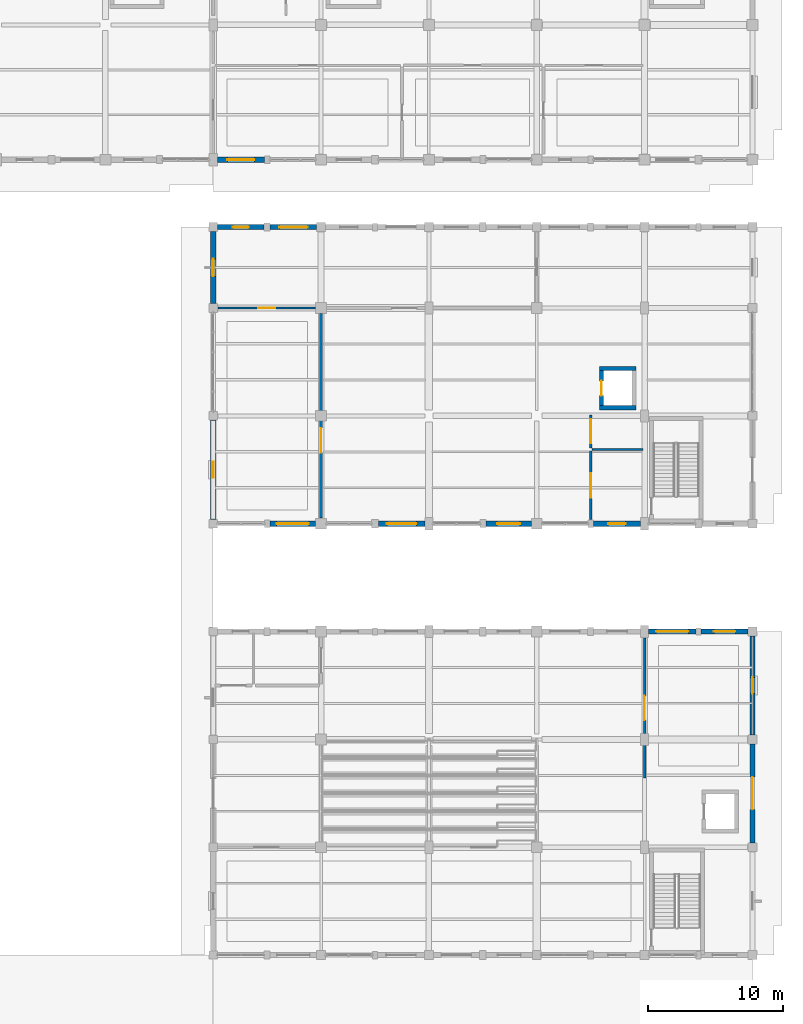
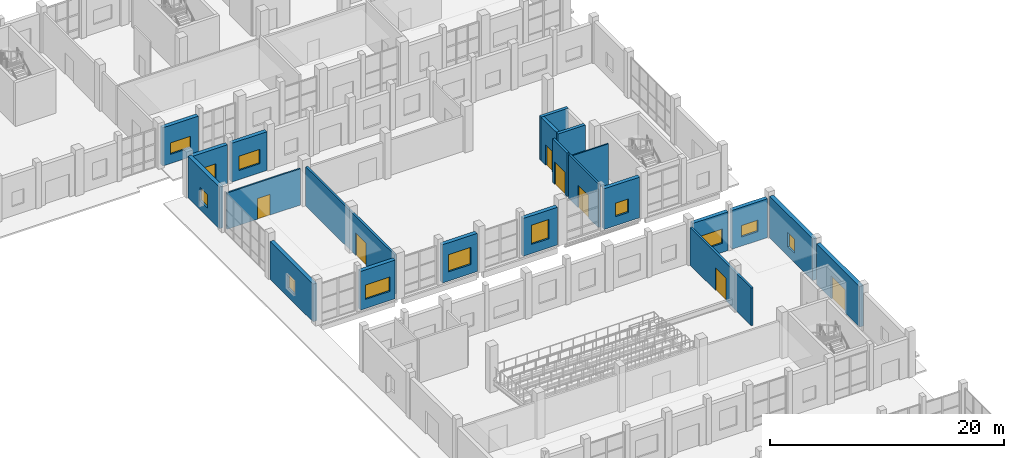
# One storey, part 130 of 156: 22 walls, 12 windows, 7 doors, 19 openings.
"""IFC4 building model written with IfcOpenShell, lengths in metres."""

from ifc_helpers import new_model, si_unit, direction, frame, frame_2d, origin, place, context, subcontext, project, spatial, rectangle, extrude, material, layer, layer_set, type_object, element, fill, save


model = new_model("IFC4")

# Units and contexts
model_context = context("Model", 3, precision=1e-05, world=origin(), true_north=direction((0.0, 1.0)))
body_context = subcontext(model_context, "Body", "Model", "MODEL_VIEW")
ifc_project = project(units=[si_unit("LENGTHUNIT", "METRE"), si_unit("AREAUNIT", "SQUARE_METRE"), si_unit("VOLUMEUNIT", "CUBIC_METRE"), si_unit("PLANEANGLEUNIT", "RADIAN"), si_unit("MASSUNIT", "GRAM", prefix="KILO")], contexts=[model_context])

# Site, building, storey
site_placement = place(None, origin())
site = spatial("IfcSite", under=ifc_project, at=site_placement, CompositionType="ELEMENT")
building_placement = place(site_placement, origin())
building = spatial("IfcBuilding", under=site, at=building_placement, Name="Luwemba Playhouse", CompositionType="ELEMENT")
storey_placement = place(building_placement, origin())
storey = spatial("IfcBuildingStorey", under=building, at=storey_placement, Name="L00", CompositionType="ELEMENT", Elevation=0.0)

# Wall, opening, window
ifc_material_1 = material(Name="Clay facing brick obra vista masonry", Category="masonry")
ifc_layer_1 = layer(ifc_material_1, 0.3798828125)
ifc_layer_set_1 = layer_set([ifc_layer_1], Name="Clay facing brick obra vista masonry")
wall_type_1 = type_object("IfcWallType", Name="WAL-BRK-380", PredefinedType="SOLIDWALL", material=ifc_layer_set_1)
wall_1_placement = place(storey_placement, frame((164.300048828125, 60.0, 0.0), z_axis=(0.0, 0.0, 1.0), x_axis=(1.0, 0.0, 0.0)))
wall_1 = element("IfcWall", 1, at=wall_1_placement, inside=storey, type_object=wall_type_1, Name="L00 V3 exterior facade wall 0039", PredefinedType="SOLIDWALL", context=body_context, shape_type="SweptSolid", body=[
    extrude(rectangle(XDim=3.5, YDim=0.3798828125, at=frame_2d((1.75, 0.0))), origin(), (0.0, 0.0, 1.0), 4.034912109375),
])
opening_1_placement = place(wall_1_placement, frame((0.550048828125, 0.0, 0.949951171875)))
opening_1 = element("IfcOpeningElement", 2, at=opening_1_placement, cuts=wall_1, Name="Opening WN-12", PredefinedType="OPENING", context=body_context, shape_type="SweptSolid", body=[
    extrude(rectangle(XDim=2.39990234375, YDim=1.5, at=frame_2d((1.199951171875, 0.75))), frame((0.0, 0.199951171875, 0.0), z_axis=(0.0, -1.0, 0.0), x_axis=(1.0, 0.0, 0.0)), (0.0, 0.0, 1.0), 0.39990234375),
])
ifc_material_2 = material(Name="Solar-control double glazing in aluminium frame", Category="aluminium")
window_type_1 = type_object("IfcWindowType", Name="WIN-WN-12", PartitioningType="TRIPLE_PANEL_VERTICAL", PredefinedType="WINDOW", material=ifc_material_2)
window_1_placement = place(opening_1_placement, origin())
window_1 = element("IfcWindow", 3, at=window_1_placement, inside=storey, type_object=window_type_1, Name="L00 V3 scheduled window 0023", OverallHeight=1.5, OverallWidth=2.39990234375, PartitioningType="TRIPLE_PANEL_VERTICAL", PredefinedType="WINDOW", context=body_context, shape_type="SweptSolid", body=[
    extrude(rectangle(XDim=2.39990234375, YDim=1.5, at=frame_2d((1.199951171875, 0.75))), frame((0.0, 0.030029296875, 0.0), z_axis=(0.0, -1.0, 0.0), x_axis=(1.0, 0.0, 0.0)), (0.0, 0.0, 1.0), 0.06005859375),
])
fill(opening_1, window_1)

wall_2_placement = place(storey_placement, frame((168.199951171875, 60.0, 0.0), z_axis=(0.0, 0.0, 1.0), x_axis=(1.0, 0.0, 0.0)))
wall_2 = element("IfcWall", 4, at=wall_2_placement, inside=storey, type_object=wall_type_1, Name="L00 V3 exterior facade wall 0040", PredefinedType="SOLIDWALL", context=body_context, shape_type="SweptSolid", body=[
    extrude(rectangle(XDim=3.47509765625, YDim=0.3798828125, at=frame_2d((1.737548828125, 0.0))), origin(), (0.0, 0.0, 1.0), 4.034912109375),
])
opening_2_placement = place(wall_2_placement, frame((0.9375, 0.0, 0.949951171875)))
opening_2 = element("IfcOpeningElement", 5, at=opening_2_placement, cuts=wall_2, Name="Opening WN-15", PredefinedType="OPENING", context=body_context, shape_type="SweptSolid", body=[
    extrude(rectangle(XDim=1.60009765625, YDim=1.199951171875, at=frame_2d((0.800048828125, 0.60009765625))), frame((0.0, 0.199951171875, 0.0), z_axis=(0.0, -1.0, 0.0), x_axis=(1.0, 0.0, 0.0)), (0.0, 0.0, 1.0), 0.39990234375),
])
window_type_2 = type_object("IfcWindowType", Name="WIN-WN-15", PartitioningType="DOUBLE_PANEL_HORIZONTAL", PredefinedType="WINDOW", material=ifc_material_2)
window_2_placement = place(opening_2_placement, origin())
window_2 = element("IfcWindow", 6, at=window_2_placement, inside=storey, type_object=window_type_2, Name="L00 V3 scheduled window 0024", OverallHeight=1.199951171875, OverallWidth=1.60009765625, PartitioningType="DOUBLE_PANEL_HORIZONTAL", PredefinedType="WINDOW", context=body_context, shape_type="SweptSolid", body=[
    extrude(rectangle(XDim=1.60009765625, YDim=1.199951171875, at=frame_2d((0.800048828125, 0.60009765625))), frame((0.0, 0.030029296875, 0.0), z_axis=(0.0, -1.0, 0.0), x_axis=(1.0, 0.0, 0.0)), (0.0, 0.0, 1.0), 0.06005859375),
])
fill(opening_2, window_2)

wall_3_placement = place(storey_placement, frame((172.0, 59.675048828125, 0.0), z_axis=(0.0, 0.0, 1.0), x_axis=(0.0, -1.0, 0.0)))
wall_3 = element("IfcWall", 7, at=wall_3_placement, inside=storey, type_object=wall_type_1, Name="L00 V3 exterior facade wall 0041", PredefinedType="SOLIDWALL", context=body_context, shape_type="SweptSolid", body=[
    extrude(rectangle(XDim=7.35009765625, YDim=0.3798828125, at=frame_2d((3.675048828125, 0.0))), origin(), (0.0, 0.0, 1.0), 4.3349609375),
])
opening_3_placement = place(wall_3_placement, frame((3.074951171875, 0.0, 0.949951171875)))
opening_3 = element("IfcOpeningElement", 8, at=opening_3_placement, cuts=wall_3, Name="Opening WN-08", PredefinedType="OPENING", context=body_context, shape_type="SweptSolid", body=[
    extrude(rectangle(XDim=1.199951171875, YDim=1.5, at=frame_2d((0.60009765625, 0.75))), frame((0.0, 0.199951171875, 0.0), z_axis=(0.0, -1.0, 0.0), x_axis=(1.0, 0.0, 0.0)), (0.0, 0.0, 1.0), 0.39990234375),
])
window_type_3 = type_object("IfcWindowType", Name="WIN-WN-08", PartitioningType="SINGLE_PANEL", PredefinedType="WINDOW", material=ifc_material_2)
window_3_placement = place(opening_3_placement, origin())
window_3 = element("IfcWindow", 9, at=window_3_placement, inside=storey, type_object=window_type_3, Name="L00 V3 scheduled window 0025", OverallHeight=1.5, OverallWidth=1.199951171875, PartitioningType="SINGLE_PANEL", PredefinedType="WINDOW", context=body_context, shape_type="SweptSolid", body=[
    extrude(rectangle(XDim=1.199951171875, YDim=1.5, at=frame_2d((0.60009765625, 0.75))), frame((0.0, 0.030029296875, 0.0), z_axis=(0.0, -1.0, 0.0), x_axis=(1.0, 0.0, 0.0)), (0.0, 0.0, 1.0), 0.06005859375),
])
fill(opening_3, window_3)

# Wall, opening, door
wall_4_placement = place(storey_placement, frame((172.0, 51.675048828125, 0.0), z_axis=(0.0, 0.0, 1.0), x_axis=(0.0, -1.0, 0.0)))
wall_4 = element("IfcWall", 10, at=wall_4_placement, inside=storey, type_object=wall_type_1, Name="L00 V3 exterior facade wall 0042", PredefinedType="SOLIDWALL", context=body_context, shape_type="SweptSolid", body=[
    extrude(rectangle(XDim=7.35009765625, YDim=0.3798828125, at=frame_2d((3.675048828125, 0.0))), origin(), (0.0, 0.0, 1.0), 4.235107421875),
])
opening_4_placement = place(wall_4_placement, frame((2.47509765625, 0.0, 0.0)))
opening_4 = element("IfcOpeningElement", 11, at=opening_4_placement, cuts=wall_4, Name="Opening E29", PredefinedType="OPENING", context=body_context, shape_type="SweptSolid", body=[
    extrude(rectangle(XDim=2.39990234375, YDim=2.39990234375, at=frame_2d((1.199951171875, 1.199951171875))), frame((0.0, 0.199951171875, 0.0), z_axis=(0.0, -1.0, 0.0), x_axis=(1.0, 0.0, 0.0)), (0.0, 0.0, 1.0), 0.39990234375),
])
ifc_material_3 = material(Name="Architectural bronze-anodised aluminium and glazed leaf", Category="aluminium")
door_type_1 = type_object("IfcDoorType", Name="DR-EXIT-240", OperationType="NOTDEFINED", PredefinedType="DOOR", material=ifc_material_3)
door_1_placement = place(opening_4_placement, origin())
door_1 = element("IfcDoor", 12, at=door_1_placement, inside=storey, type_object=door_type_1, Name="Studio Theatre east boulevard final exit E29", OperationType="DOUBLE_DOOR_SINGLE_SWING", OverallHeight=2.39990234375, OverallWidth=2.39990234375, PredefinedType="DOOR", context=body_context, shape_type="SweptSolid", body=[
    extrude(rectangle(XDim=2.39990234375, YDim=2.39990234375, at=frame_2d((1.199951171875, 1.199951171875))), frame((0.0, 0.02490234375, 0.0), z_axis=(0.0, -1.0, 0.0), x_axis=(1.0, 0.0, 0.0)), (0.0, 0.0, 1.0), 0.050048828125),
])
fill(opening_4, door_1)

# Wall, opening, window
wall_5_placement = place(storey_placement, frame((132.0, 68.324951171875, 0.0), z_axis=(0.0, 0.0, 1.0), x_axis=(0.0, 1.0, 0.0)))
wall_5 = element("IfcWall", 13, at=wall_5_placement, inside=storey, type_object=wall_type_1, Name="L00 V4 exterior facade wall 0050", PredefinedType="SOLIDWALL", context=body_context, shape_type="SweptSolid", body=[
    extrude(rectangle(XDim=7.35009765625, YDim=0.3798828125, at=frame_2d((3.675048828125, 0.0))), origin(), (0.0, 0.0, 1.0), 3.93505859375),
])
opening_5_placement = place(wall_5_placement, frame((3.074951171875, 0.0, 0.949951171875)))
opening_5 = element("IfcOpeningElement", 14, at=opening_5_placement, cuts=wall_5, Name="Opening WN-08", PredefinedType="OPENING", context=body_context, shape_type="SweptSolid", body=[
    extrude(rectangle(XDim=1.199951171875, YDim=1.5, at=frame_2d((0.60009765625, 0.75))), frame((0.0, 0.199951171875, 0.0), z_axis=(0.0, -1.0, 0.0), x_axis=(1.0, 0.0, 0.0)), (0.0, 0.0, 1.0), 0.39990234375),
])
window_4_placement = place(opening_5_placement, origin())
window_4 = element("IfcWindow", 15, at=window_4_placement, inside=storey, type_object=window_type_3, Name="L00 V4 scheduled window 0031", OverallHeight=1.5, OverallWidth=1.199951171875, PartitioningType="SINGLE_PANEL", PredefinedType="WINDOW", context=body_context, shape_type="SweptSolid", body=[
    extrude(rectangle(XDim=1.199951171875, YDim=1.5, at=frame_2d((0.60009765625, 0.75))), frame((0.0, 0.030029296875, 0.0), z_axis=(0.0, -1.0, 0.0), x_axis=(1.0, 0.0, 0.0)), (0.0, 0.0, 1.0), 0.06005859375),
])
fill(opening_5, window_4)

wall_6_placement = place(storey_placement, frame((132.0, 84.324951171875, 0.0), z_axis=(0.0, 0.0, 1.0), x_axis=(0.0, 1.0, 0.0)))
wall_6 = element("IfcWall", 16, at=wall_6_placement, inside=storey, type_object=wall_type_1, Name="L00 V4 exterior facade wall 0051", PredefinedType="SOLIDWALL", context=body_context, shape_type="SweptSolid", body=[
    extrude(rectangle(XDim=5.35009765625, YDim=0.3798828125, at=frame_2d((2.675048828125, 0.0))), origin(), (0.0, 0.0, 1.0), 4.3349609375),
])
opening_6_placement = place(wall_6_placement, frame((2.02490234375, 0.0, 0.949951171875)))
opening_6 = element("IfcOpeningElement", 17, at=opening_6_placement, cuts=wall_6, Name="Opening WN-14", PredefinedType="OPENING", context=body_context, shape_type="SweptSolid", body=[
    extrude(rectangle(XDim=1.300048828125, YDim=1.39990234375, at=frame_2d((0.64990234375, 0.699951171875))), frame((0.0, 0.199951171875, 0.0), z_axis=(0.0, -1.0, 0.0), x_axis=(1.0, 0.0, 0.0)), (0.0, 0.0, 1.0), 0.39990234375),
])
window_type_4 = type_object("IfcWindowType", Name="WIN-WN-14", PartitioningType="SINGLE_PANEL", PredefinedType="WINDOW", material=ifc_material_2)
window_5_placement = place(opening_6_placement, origin())
window_5 = element("IfcWindow", 18, at=window_5_placement, inside=storey, type_object=window_type_4, Name="L00 V4 scheduled window 0032", OverallHeight=1.39990234375, OverallWidth=1.300048828125, PartitioningType="SINGLE_PANEL", PredefinedType="WINDOW", context=body_context, shape_type="SweptSolid", body=[
    extrude(rectangle(XDim=1.300048828125, YDim=1.39990234375, at=frame_2d((0.64990234375, 0.699951171875))), frame((0.0, 0.030029296875, 0.0), z_axis=(0.0, -1.0, 0.0), x_axis=(1.0, 0.0, 0.0)), (0.0, 0.0, 1.0), 0.06005859375),
])
fill(opening_6, window_5)

wall_7_placement = place(storey_placement, frame((132.324951171875, 90.0, 0.0), z_axis=(0.0, 0.0, 1.0), x_axis=(1.0, 0.0, 0.0)))
wall_7 = element("IfcWall", 19, at=wall_7_placement, inside=storey, type_object=wall_type_1, Name="L00 V4 exterior facade wall 0052", PredefinedType="SOLIDWALL", context=body_context, shape_type="SweptSolid", body=[
    extrude(rectangle(XDim=3.449951171875, YDim=0.3798828125, at=frame_2d((1.72509765625, 0.0))), origin(), (0.0, 0.0, 1.0), 4.034912109375),
])
opening_7_placement = place(wall_7_placement, frame((1.125, 0.0, 0.949951171875)))
opening_7 = element("IfcOpeningElement", 20, at=opening_7_placement, cuts=wall_7, Name="Opening WN-08", PredefinedType="OPENING", context=body_context, shape_type="SweptSolid", body=[
    extrude(rectangle(XDim=1.199951171875, YDim=1.5, at=frame_2d((0.60009765625, 0.75))), frame((0.0, 0.199951171875, 0.0), z_axis=(0.0, -1.0, 0.0), x_axis=(1.0, 0.0, 0.0)), (0.0, 0.0, 1.0), 0.39990234375),
])
window_6_placement = place(opening_7_placement, origin())
window_6 = element("IfcWindow", 21, at=window_6_placement, inside=storey, type_object=window_type_3, Name="L00 V4 scheduled window 0033", OverallHeight=1.5, OverallWidth=1.199951171875, PartitioningType="SINGLE_PANEL", PredefinedType="WINDOW", context=body_context, shape_type="SweptSolid", body=[
    extrude(rectangle(XDim=1.199951171875, YDim=1.5, at=frame_2d((0.60009765625, 0.75))), frame((0.0, 0.030029296875, 0.0), z_axis=(0.0, -1.0, 0.0), x_axis=(1.0, 0.0, 0.0)), (0.0, 0.0, 1.0), 0.06005859375),
])
fill(opening_7, window_6)

wall_8_placement = place(storey_placement, frame((136.22509765625, 90.0, 0.0), z_axis=(0.0, 0.0, 1.0), x_axis=(1.0, 0.0, 0.0)))
wall_8 = element("IfcWall", 22, at=wall_8_placement, inside=storey, type_object=wall_type_1, Name="L00 V4 exterior facade wall 0053", PredefinedType="SOLIDWALL", context=body_context, shape_type="SweptSolid", body=[
    extrude(rectangle(XDim=3.449951171875, YDim=0.3798828125, at=frame_2d((1.72509765625, 0.0))), origin(), (0.0, 0.0, 1.0), 4.034912109375),
])
opening_8_placement = place(wall_8_placement, frame((0.675048828125, 0.0, 0.949951171875)))
opening_8 = element("IfcOpeningElement", 23, at=opening_8_placement, cuts=wall_8, Name="Opening WN-11", PredefinedType="OPENING", context=body_context, shape_type="SweptSolid", body=[
    extrude(rectangle(XDim=2.10009765625, YDim=1.5, at=frame_2d((1.050048828125, 0.75))), frame((0.0, 0.199951171875, 0.0), z_axis=(0.0, -1.0, 0.0), x_axis=(1.0, 0.0, 0.0)), (0.0, 0.0, 1.0), 0.39990234375),
])
window_type_5 = type_object("IfcWindowType", Name="WIN-WN-11", PartitioningType="TRIPLE_PANEL_VERTICAL", PredefinedType="WINDOW", material=ifc_material_2)
window_7_placement = place(opening_8_placement, origin())
window_7 = element("IfcWindow", 24, at=window_7_placement, inside=storey, type_object=window_type_5, Name="L00 V4 scheduled window 0034", OverallHeight=1.5, OverallWidth=2.10009765625, PartitioningType="TRIPLE_PANEL_VERTICAL", PredefinedType="WINDOW", context=body_context, shape_type="SweptSolid", body=[
    extrude(rectangle(XDim=2.10009765625, YDim=1.5, at=frame_2d((1.050048828125, 0.75))), frame((0.0, 0.030029296875, 0.0), z_axis=(0.0, -1.0, 0.0), x_axis=(1.0, 0.0, 0.0)), (0.0, 0.0, 1.0), 0.06005859375),
])
fill(opening_8, window_7)

wall_9_placement = place(storey_placement, frame((163.699951171875, 68.0, 0.0), z_axis=(0.0, 0.0, 1.0), x_axis=(-1.0, 0.0, 0.0)))
wall_9 = element("IfcWall", 25, at=wall_9_placement, inside=storey, type_object=wall_type_1, Name="L00 V4 exterior facade wall 0065", PredefinedType="SOLIDWALL", context=body_context, shape_type="SweptSolid", body=[
    extrude(rectangle(XDim=3.5, YDim=0.3798828125, at=frame_2d((1.75, 0.0))), origin(), (0.0, 0.0, 1.0), 4.235107421875),
])
opening_9_placement = place(wall_9_placement, frame((1.10009765625, 0.0, 0.949951171875)))
opening_9 = element("IfcOpeningElement", 26, at=opening_9_placement, cuts=wall_9, Name="Opening WN-14", PredefinedType="OPENING", context=body_context, shape_type="SweptSolid", body=[
    extrude(rectangle(XDim=1.300048828125, YDim=1.39990234375, at=frame_2d((0.64990234375, 0.699951171875))), frame((0.0, 0.199951171875, 0.0), z_axis=(0.0, -1.0, 0.0), x_axis=(1.0, 0.0, 0.0)), (0.0, 0.0, 1.0), 0.39990234375),
])
window_8_placement = place(opening_9_placement, origin())
window_8 = element("IfcWindow", 27, at=window_8_placement, inside=storey, type_object=window_type_4, Name="L00 V4 scheduled window 0044", OverallHeight=1.39990234375, OverallWidth=1.300048828125, PartitioningType="SINGLE_PANEL", PredefinedType="WINDOW", context=body_context, shape_type="SweptSolid", body=[
    extrude(rectangle(XDim=1.300048828125, YDim=1.39990234375, at=frame_2d((0.64990234375, 0.699951171875))), frame((0.0, 0.030029296875, 0.0), z_axis=(0.0, -1.0, 0.0), x_axis=(1.0, 0.0, 0.0)), (0.0, 0.0, 1.0), 0.06005859375),
])
fill(opening_9, window_8)

wall_10_placement = place(storey_placement, frame((155.60009765625, 68.0, 0.0), z_axis=(0.0, 0.0, 1.0), x_axis=(-1.0, 0.0, 0.0)))
wall_10 = element("IfcWall", 28, at=wall_10_placement, inside=storey, type_object=wall_type_1, Name="L00 V4 exterior facade wall 0066", PredefinedType="SOLIDWALL", context=body_context, shape_type="SweptSolid", body=[
    extrude(rectangle(XDim=3.375, YDim=0.3798828125, at=frame_2d((1.6875, 0.0))), origin(), (0.0, 0.0, 1.0), 3.93505859375),
])
opening_10_placement = place(wall_10_placement, frame((0.83740234375, 0.0, 0.949951171875)))
opening_10 = element("IfcOpeningElement", 29, at=opening_10_placement, cuts=wall_10, Name="Opening WN-20", PredefinedType="OPENING", context=body_context, shape_type="SweptSolid", body=[
    extrude(rectangle(XDim=1.699951171875, YDim=2.0, at=frame_2d((0.85009765625, 1.0))), frame((0.0, 0.199951171875, 0.0), z_axis=(0.0, -1.0, 0.0), x_axis=(1.0, 0.0, 0.0)), (0.0, 0.0, 1.0), 0.39990234375),
])
window_type_6 = type_object("IfcWindowType", Name="WIN-WN-20", PartitioningType="DOUBLE_PANEL_VERTICAL", PredefinedType="WINDOW", material=ifc_material_2)
window_9_placement = place(opening_10_placement, origin())
window_9 = element("IfcWindow", 30, at=window_9_placement, inside=storey, type_object=window_type_6, Name="L00 V4 scheduled window 0045", OverallHeight=2.0, OverallWidth=1.699951171875, PartitioningType="DOUBLE_PANEL_VERTICAL", PredefinedType="WINDOW", context=body_context, shape_type="SweptSolid", body=[
    extrude(rectangle(XDim=1.699951171875, YDim=2.0, at=frame_2d((0.85009765625, 1.0))), frame((0.0, 0.030029296875, 0.0), z_axis=(0.0, -1.0, 0.0), x_axis=(1.0, 0.0, 0.0)), (0.0, 0.0, 1.0), 0.06005859375),
])
fill(opening_10, window_9)

wall_11_placement = place(storey_placement, frame((147.699951171875, 68.0, 0.0), z_axis=(0.0, 0.0, 1.0), x_axis=(-1.0, 0.0, 0.0)))
wall_11 = element("IfcWall", 31, at=wall_11_placement, inside=storey, type_object=wall_type_1, Name="L00 V4 exterior facade wall 0067", PredefinedType="SOLIDWALL", context=body_context, shape_type="SweptSolid", body=[
    extrude(rectangle(XDim=3.449951171875, YDim=0.3798828125, at=frame_2d((1.72509765625, 0.0))), origin(), (0.0, 0.0, 1.0), 3.985107421875),
])
opening_11_placement = place(wall_11_placement, frame((0.625, 0.0, 0.949951171875)))
opening_11 = element("IfcOpeningElement", 32, at=opening_11_placement, cuts=wall_11, Name="Opening WN-06", PredefinedType="OPENING", context=body_context, shape_type="SweptSolid", body=[
    extrude(rectangle(XDim=2.199951171875, YDim=1.800048828125, at=frame_2d((1.10009765625, 0.89990234375))), frame((0.0, 0.199951171875, 0.0), z_axis=(0.0, -1.0, 0.0), x_axis=(1.0, 0.0, 0.0)), (0.0, 0.0, 1.0), 0.39990234375),
])
window_type_7 = type_object("IfcWindowType", Name="WIN-WN-06", PartitioningType="TRIPLE_PANEL_VERTICAL", PredefinedType="WINDOW", material=ifc_material_2)
window_10_placement = place(opening_11_placement, origin())
window_10 = element("IfcWindow", 33, at=window_10_placement, inside=storey, type_object=window_type_7, Name="L00 V4 scheduled window 0046", OverallHeight=1.800048828125, OverallWidth=2.199951171875, PartitioningType="TRIPLE_PANEL_VERTICAL", PredefinedType="WINDOW", context=body_context, shape_type="SweptSolid", body=[
    extrude(rectangle(XDim=2.199951171875, YDim=1.800048828125, at=frame_2d((1.10009765625, 0.89990234375))), frame((0.0, 0.030029296875, 0.0), z_axis=(0.0, -1.0, 0.0), x_axis=(1.0, 0.0, 0.0)), (0.0, 0.0, 1.0), 0.06005859375),
])
fill(opening_11, window_10)

wall_12_placement = place(storey_placement, frame((139.60009765625, 68.0, 0.0), z_axis=(0.0, 0.0, 1.0), x_axis=(-1.0, 0.0, 0.0)))
wall_12 = element("IfcWall", 34, at=wall_12_placement, inside=storey, type_object=wall_type_1, Name="L00 V4 exterior facade wall 0068", PredefinedType="SOLIDWALL", context=body_context, shape_type="SweptSolid", body=[
    extrude(rectangle(XDim=3.400146484375, YDim=0.3798828125, at=frame_2d((1.7001953125, 0.0))), origin(), (0.0, 0.0, 1.0), 4.034912109375),
])
opening_12_placement = place(wall_12_placement, frame((0.5, 0.0, 0.949951171875)))
opening_12 = element("IfcOpeningElement", 35, at=opening_12_placement, cuts=wall_12, Name="Opening WN-12", PredefinedType="OPENING", context=body_context, shape_type="SweptSolid", body=[
    extrude(rectangle(XDim=2.39990234375, YDim=1.5, at=frame_2d((1.199951171875, 0.75))), frame((0.0, 0.199951171875, 0.0), z_axis=(0.0, -1.0, 0.0), x_axis=(1.0, 0.0, 0.0)), (0.0, 0.0, 1.0), 0.39990234375),
])
window_11_placement = place(opening_12_placement, origin())
window_11 = element("IfcWindow", 36, at=window_11_placement, inside=storey, type_object=window_type_1, Name="L00 V4 scheduled window 0047", OverallHeight=1.5, OverallWidth=2.39990234375, PartitioningType="TRIPLE_PANEL_VERTICAL", PredefinedType="WINDOW", context=body_context, shape_type="SweptSolid", body=[
    extrude(rectangle(XDim=2.39990234375, YDim=1.5, at=frame_2d((1.199951171875, 0.75))), frame((0.0, 0.030029296875, 0.0), z_axis=(0.0, -1.0, 0.0), x_axis=(1.0, 0.0, 0.0)), (0.0, 0.0, 1.0), 0.06005859375),
])
fill(opening_12, window_11)

wall_13_placement = place(storey_placement, frame((135.800048828125, 95.0, 0.0), z_axis=(0.0, 0.0, 1.0), x_axis=(-1.0, 0.0, 0.0)))
wall_13 = element("IfcWall", 37, at=wall_13_placement, inside=storey, type_object=wall_type_1, Name="L00 V6E exterior facade wall 0129", PredefinedType="SOLIDWALL", context=body_context, shape_type="SweptSolid", body=[
    extrude(rectangle(XDim=3.5, YDim=0.3798828125, at=frame_2d((1.75, 0.0))), origin(), (0.0, 0.0, 1.0), 3.985107421875),
])
opening_13_placement = place(wall_13_placement, frame((0.75, 0.0, 0.949951171875)))
opening_13 = element("IfcOpeningElement", 38, at=opening_13_placement, cuts=wall_13, Name="Opening WN-16", PredefinedType="OPENING", context=body_context, shape_type="SweptSolid", body=[
    extrude(rectangle(XDim=2.0, YDim=1.199951171875, at=frame_2d((1.0, 0.60009765625))), frame((0.0, 0.199951171875, 0.0), z_axis=(0.0, -1.0, 0.0), x_axis=(1.0, 0.0, 0.0)), (0.0, 0.0, 1.0), 0.39990234375),
])
window_type_8 = type_object("IfcWindowType", Name="WIN-WN-16", PartitioningType="DOUBLE_PANEL_HORIZONTAL", PredefinedType="WINDOW", material=ifc_material_2)
window_12_placement = place(opening_13_placement, origin())
window_12 = element("IfcWindow", 39, at=window_12_placement, inside=storey, type_object=window_type_8, Name="L00 V6E scheduled window 0085", OverallHeight=1.199951171875, OverallWidth=2.0, PartitioningType="DOUBLE_PANEL_HORIZONTAL", PredefinedType="WINDOW", context=body_context, shape_type="SweptSolid", body=[
    extrude(rectangle(XDim=2.0, YDim=1.199951171875, at=frame_2d((1.0, 0.60009765625))), frame((0.0, 0.030029296875, 0.0), z_axis=(0.0, -1.0, 0.0), x_axis=(1.0, 0.0, 0.0)), (0.0, 0.0, 1.0), 0.06005859375),
])
fill(opening_13, window_12)

# Walls
ifc_material_4 = material(Name="Concrete C40/50", Category="concrete")
ifc_layer_2 = layer(ifc_material_4, 0.300048828125)
ifc_layer_set_2 = layer_set([ifc_layer_2], Name="Concrete C40/50")
wall_type_2 = type_object("IfcWallType", Name="WAL-CORE-300", PredefinedType="SHEAR", material=ifc_layer_set_2)
for number, where, z_axis, x_axis, name in (
    (40, (160.64990234375, 76.60009765625, 0.0), (0.0, 0.0, 1.0), (1.0, 0.0, 0.0), "L00 Lift LF-P7 shaft wall S"),
    (41, (163.35009765625, 79.5, 0.0), (0.0, 0.0, 1.0), (-1.0, 0.0, 0.0), "L00 Lift LF-P7 shaft wall N"),
):
    element("IfcWall", number, at=place(storey_placement, frame(where, z_axis=z_axis, x_axis=x_axis)), inside=storey, type_object=wall_type_2, Name=name, PredefinedType="SHEAR", context=body_context, shape_type="SweptSolid", body=[
        extrude(rectangle(XDim=2.7001953125, YDim=0.300048828125, at=frame_2d((1.35009765625, 0.0))), origin(), (0.0, 0.0, 1.0), 4.550048828125),
    ])

# Wall, opening, door
wall_14_placement = place(storey_placement, frame((160.800048828125, 76.75, 0.0), z_axis=(0.0, 0.0, 1.0), x_axis=(0.0, 1.0, 0.0)))
wall_14 = element("IfcWall", 42, at=wall_14_placement, inside=storey, type_object=wall_type_2, Name="L00 Lift LF-P7 shaft wall W", PredefinedType="SHEAR", context=body_context, shape_type="SweptSolid", body=[
    extrude(rectangle(XDim=2.60009765625, YDim=0.300048828125, at=frame_2d((1.300048828125, 0.0))), origin(), (0.0, 0.0, 1.0), 4.550048828125),
])
opening_14_placement = place(wall_14_placement, frame((0.75, 0.0, 0.0)))
opening_14 = element("IfcOpeningElement", 43, at=opening_14_placement, cuts=wall_14, Name="Opening LD-01", PredefinedType="OPENING", context=body_context, shape_type="SweptSolid", body=[
    extrude(rectangle(XDim=1.10009765625, YDim=2.14990234375, at=frame_2d((0.550048828125, 1.074951171875))), frame((0.0, 0.159912109375, 0.0), z_axis=(0.0, -1.0, 0.0), x_axis=(1.0, 0.0, 0.0)), (0.0, 0.0, 1.0), 0.320068359375),
])
ifc_material_5 = material(Name="Stainless steel lift landing doors", Category="steel")
door_type_2 = type_object("IfcDoorType", Name="DR-LIFT-110", OperationType="NOTDEFINED", PredefinedType="DOOR", material=ifc_material_5)
door_2_placement = place(opening_14_placement, origin())
door_2 = element("IfcDoor", 44, at=door_2_placement, inside=storey, type_object=door_type_2, Name="L00 Lift LF-P7 landing door", OperationType="DOUBLE_DOOR_SLIDING", OverallHeight=2.14990234375, OverallWidth=1.10009765625, PredefinedType="DOOR", context=body_context, shape_type="SweptSolid", body=[
    extrude(rectangle(XDim=1.10009765625, YDim=2.14990234375, at=frame_2d((0.550048828125, 1.074951171875))), frame((0.0, 0.02490234375, 0.0), z_axis=(0.0, -1.0, 0.0), x_axis=(1.0, 0.0, 0.0)), (0.0, 0.0, 1.0), 0.050048828125),
])
fill(opening_14, door_2)

# Wall
ifc_material_6 = material(Name="Moisture-resistant sanitary partition", Category="gypsum")
ifc_layer_3 = layer(ifc_material_6, 0.1201171875)
ifc_layer_set_3 = layer_set([ifc_layer_3], Name="Moisture-resistant sanitary partition")
wall_type_3 = type_object("IfcWallType", Name="WAL-INT-120", PredefinedType="PARTITIONING", material=ifc_layer_set_3)
wall_15_placement = place(storey_placement, frame((160.1201171875, 73.5, 0.0), z_axis=(0.0, 0.0, 1.0), x_axis=(1.0, 0.0, 0.0)))
element("IfcWall", 45, at=wall_15_placement, inside=storey, type_object=wall_type_3, Name="L00 V4 interior partition 0087", PredefinedType="PARTITIONING", context=body_context, shape_type="SweptSolid", body=[
    extrude(rectangle(XDim=3.759765625, YDim=0.1201171875, at=frame_2d((1.8798828125, 0.0))), origin(), (0.0, 0.0, 1.0), 4.235107421875),
])

# Wall, opening, door
ifc_material_7 = material(Name="Acoustic gypsum stud partition", Category="gypsum")
ifc_layer_4 = layer(ifc_material_7, 0.14990234375)
ifc_layer_set_4 = layer_set([ifc_layer_4], Name="Acoustic gypsum stud partition")
wall_type_4 = type_object("IfcWallType", Name="WAL-INT-150", PredefinedType="PARTITIONING", material=ifc_layer_set_4)
wall_16_placement = place(storey_placement, frame((132.344970703125, 84.0, 0.0), z_axis=(0.0, 0.0, 1.0), x_axis=(1.0, 0.0, 0.0)))
wall_16 = element("IfcWall", 46, at=wall_16_placement, inside=storey, type_object=wall_type_4, Name="L00 V4 interior partition 0085", PredefinedType="PARTITIONING", context=body_context, shape_type="SweptSolid", body=[
    extrude(rectangle(XDim=7.235107421875, YDim=0.14990234375, at=frame_2d((3.61767578125, 0.0))), origin(), (0.0, 0.0, 1.0), 3.784912109375),
])
opening_15_placement = place(wall_16_placement, frame((2.992431640625, 0.0, 0.0)))
opening_15 = element("IfcOpeningElement", 47, at=opening_15_placement, cuts=wall_16, Name="Opening D-IN1", PredefinedType="OPENING", context=body_context, shape_type="SweptSolid", body=[
    extrude(rectangle(XDim=1.25, YDim=2.14990234375, at=frame_2d((0.625, 1.074951171875))), frame((0.0, 0.0849609375, 0.0), z_axis=(0.0, -1.0, 0.0), x_axis=(1.0, 0.0, 0.0)), (0.0, 0.0, 1.0), 0.169921875),
])
ifc_material_8 = material(Name="Solid hardwood interior door", Category="wood")
door_type_3 = type_object("IfcDoorType", Name="DR-INT-125", OperationType="NOTDEFINED", PredefinedType="DOOR", material=ifc_material_8)
door_3_placement = place(opening_15_placement, origin())
door_3 = element("IfcDoor", 48, at=door_3_placement, inside=storey, type_object=door_type_3, Name="L00 Black-Box Cloister Entrance Foyer to Black-Box Artist Crossover Corridor door", OperationType="SINGLE_SWING_RIGHT", OverallHeight=2.14990234375, OverallWidth=1.25, PredefinedType="DOOR", context=body_context, shape_type="SweptSolid", body=[
    extrude(rectangle(XDim=1.25, YDim=2.14990234375, at=frame_2d((0.625, 1.074951171875))), frame((0.0, 0.02490234375, 0.0), z_axis=(0.0, -1.0, 0.0), x_axis=(1.0, 0.0, 0.0)), (0.0, 0.0, 1.0), 0.050048828125),
])
fill(opening_15, door_3)

ifc_material_9 = material(Name="Clay acoustic masonry blockwork", Category="masonry")
ifc_layer_5 = layer(ifc_material_9, 0.199951171875)
ifc_layer_set_5 = layer_set([ifc_layer_5], Name="Clay acoustic masonry blockwork")
wall_type_5 = type_object("IfcWallType", Name="WAL-INT-200", PredefinedType="PARTITIONING", material=ifc_layer_set_5)
wall_17_placement = place(storey_placement, frame((164.0, 49.1201171875, 0.0), z_axis=(0.0, 0.0, 1.0), x_axis=(0.0, 1.0, 0.0)))
wall_17 = element("IfcWall", 49, at=wall_17_placement, inside=storey, type_object=wall_type_5, Name="L00 V3 interior partition 0076", PredefinedType="PARTITIONING", context=body_context, shape_type="SweptSolid", body=[
    extrude(rectangle(XDim=10.409912109375, YDim=0.199951171875, at=frame_2d((5.205078125, 0.0))), origin(), (0.0, 0.0, 1.0), 3.93505859375),
])
opening_16_placement = place(wall_17_placement, frame((4.304931640625, 0.0, 0.0)))
opening_16 = element("IfcOpeningElement", 50, at=opening_16_placement, cuts=wall_17, Name="Opening D-AUD1", PredefinedType="OPENING", context=body_context, shape_type="SweptSolid", body=[
    extrude(rectangle(XDim=1.800048828125, YDim=2.35009765625, at=frame_2d((0.89990234375, 1.175048828125))), frame((0.0, 0.10986328125, 0.0), z_axis=(0.0, -1.0, 0.0), x_axis=(1.0, 0.0, 0.0)), (0.0, 0.0, 1.0), 0.219970703125),
])
ifc_material_10 = material(Name="Double acoustic timber theatre door", Category="wood")
door_type_4 = type_object("IfcDoorType", Name="DR-AUD-180", OperationType="NOTDEFINED", PredefinedType="DOOR", material=ifc_material_10)
door_4_placement = place(opening_16_placement, origin())
door_4 = element("IfcDoor", 51, at=door_4_placement, inside=storey, type_object=door_type_4, Name="L00 Studio Theatre to Studio Ticket Desk and Sound Booth door", OperationType="DOUBLE_DOOR_SINGLE_SWING", OverallHeight=2.35009765625, OverallWidth=1.800048828125, PredefinedType="DOOR", context=body_context, shape_type="SweptSolid", body=[
    extrude(rectangle(XDim=1.800048828125, YDim=2.35009765625, at=frame_2d((0.89990234375, 1.175048828125))), frame((0.0, 0.02490234375, 0.0), z_axis=(0.0, -1.0, 0.0), x_axis=(1.0, 0.0, 0.0)), (0.0, 0.0, 1.0), 0.050048828125),
])
fill(opening_16, door_4)

wall_18_placement = place(storey_placement, frame((140.0, 68.419921875, 0.0), z_axis=(0.0, 0.0, 1.0), x_axis=(0.0, 1.0, 0.0)))
wall_18 = element("IfcWall", 52, at=wall_18_placement, inside=storey, type_object=wall_type_5, Name="L00 V4 interior partition 0081", PredefinedType="PARTITIONING", context=body_context, shape_type="SweptSolid", body=[
    extrude(rectangle(XDim=15.16015625, YDim=0.199951171875, at=frame_2d((7.580078125, 0.0))), origin(), (0.0, 0.0, 1.0), 4.0849609375),
])
opening_17_placement = place(wall_18_placement, frame((4.86083984375, 0.0, 0.0)))
opening_17 = element("IfcOpeningElement", 53, at=opening_17_placement, cuts=wall_18, Name="Opening D-AUD1", PredefinedType="OPENING", context=body_context, shape_type="SweptSolid", body=[
    extrude(rectangle(XDim=1.800048828125, YDim=2.35009765625, at=frame_2d((0.89990234375, 1.175048828125))), frame((0.0, 0.10986328125, 0.0), z_axis=(0.0, -1.0, 0.0), x_axis=(1.0, 0.0, 0.0)), (0.0, 0.0, 1.0), 0.219970703125),
])
door_5_placement = place(opening_17_placement, origin())
door_5 = element("IfcDoor", 54, at=door_5_placement, inside=storey, type_object=door_type_4, Name="L00 Black-Box Theatre to Black-Box Cloister Entrance Foyer door", OperationType="DOUBLE_DOOR_SINGLE_SWING", OverallHeight=2.35009765625, OverallWidth=1.800048828125, PredefinedType="DOOR", context=body_context, shape_type="SweptSolid", body=[
    extrude(rectangle(XDim=1.800048828125, YDim=2.35009765625, at=frame_2d((0.89990234375, 1.175048828125))), frame((0.0, 0.02490234375, 0.0), z_axis=(0.0, -1.0, 0.0), x_axis=(1.0, 0.0, 0.0)), (0.0, 0.0, 1.0), 0.050048828125),
])
fill(opening_17, door_5)

wall_19_placement = place(storey_placement, frame((160.0, 68.294921875, 0.0), z_axis=(0.0, 0.0, 1.0), x_axis=(0.0, 1.0, 0.0)))
wall_19 = element("IfcWall", 55, at=wall_19_placement, inside=storey, type_object=wall_type_5, Name="L00 V4 interior partition 0083", PredefinedType="PARTITIONING", context=body_context, shape_type="SweptSolid", body=[
    extrude(rectangle(XDim=5.0849609375, YDim=0.199951171875, at=frame_2d((2.54248046875, 0.0))), origin(), (0.0, 0.0, 1.0), 4.550048828125),
])
opening_18_placement = place(wall_19_placement, frame((1.642578125, 0.0, 0.0)))
opening_18 = element("IfcOpeningElement", 56, at=opening_18_placement, cuts=wall_19, Name="Opening D-AUD1", PredefinedType="OPENING", context=body_context, shape_type="SweptSolid", body=[
    extrude(rectangle(XDim=1.800048828125, YDim=2.35009765625, at=frame_2d((0.89990234375, 1.175048828125))), frame((0.0, 0.10986328125, 0.0), z_axis=(0.0, -1.0, 0.0), x_axis=(1.0, 0.0, 0.0)), (0.0, 0.0, 1.0), 0.219970703125),
])
door_6_placement = place(opening_18_placement, origin())
door_6 = element("IfcDoor", 57, at=door_6_placement, inside=storey, type_object=door_type_4, Name="L00 Black-Box Theatre to Black-Box Public Toilets door", OperationType="DOUBLE_DOOR_SINGLE_SWING", OverallHeight=2.35009765625, OverallWidth=1.800048828125, PredefinedType="DOOR", context=body_context, shape_type="SweptSolid", body=[
    extrude(rectangle(XDim=1.800048828125, YDim=2.35009765625, at=frame_2d((0.89990234375, 1.175048828125))), frame((0.0, 0.02490234375, 0.0), z_axis=(0.0, -1.0, 0.0), x_axis=(1.0, 0.0, 0.0)), (0.0, 0.0, 1.0), 0.050048828125),
])
fill(opening_18, door_6)

wall_20_placement = place(storey_placement, frame((160.0, 73.6201171875, 0.0), z_axis=(0.0, 0.0, 1.0), x_axis=(0.0, 1.0, 0.0)))
wall_20 = element("IfcWall", 58, at=wall_20_placement, inside=storey, type_object=wall_type_5, Name="L00 V4 interior partition 0084", PredefinedType="PARTITIONING", context=body_context, shape_type="SweptSolid", body=[
    extrude(rectangle(XDim=2.4599609375, YDim=0.199951171875, at=frame_2d((1.22998046875, 0.0))), origin(), (0.0, 0.0, 1.0), 4.550048828125),
])
opening_19_placement = place(wall_20_placement, frame((0.330078125, 0.0, 0.0)))
opening_19 = element("IfcOpeningElement", 59, at=opening_19_placement, cuts=wall_20, Name="Opening D-AUD1", PredefinedType="OPENING", context=body_context, shape_type="SweptSolid", body=[
    extrude(rectangle(XDim=1.800048828125, YDim=2.35009765625, at=frame_2d((0.89990234375, 1.175048828125))), frame((0.0, 0.10986328125, 0.0), z_axis=(0.0, -1.0, 0.0), x_axis=(1.0, 0.0, 0.0)), (0.0, 0.0, 1.0), 0.219970703125),
])
door_7_placement = place(opening_19_placement, origin())
door_7 = element("IfcDoor", 60, at=door_7_placement, inside=storey, type_object=door_type_4, Name="L00 Black-Box Theatre to Black-Box Accessible WC door", OperationType="DOUBLE_DOOR_SINGLE_SWING", OverallHeight=2.35009765625, OverallWidth=1.800048828125, PredefinedType="DOOR", context=body_context, shape_type="SweptSolid", body=[
    extrude(rectangle(XDim=1.800048828125, YDim=2.35009765625, at=frame_2d((0.89990234375, 1.175048828125))), frame((0.0, 0.02490234375, 0.0), z_axis=(0.0, -1.0, 0.0), x_axis=(1.0, 0.0, 0.0)), (0.0, 0.0, 1.0), 0.050048828125),
])
fill(opening_19, door_7)

save(model, "model.ifc")
